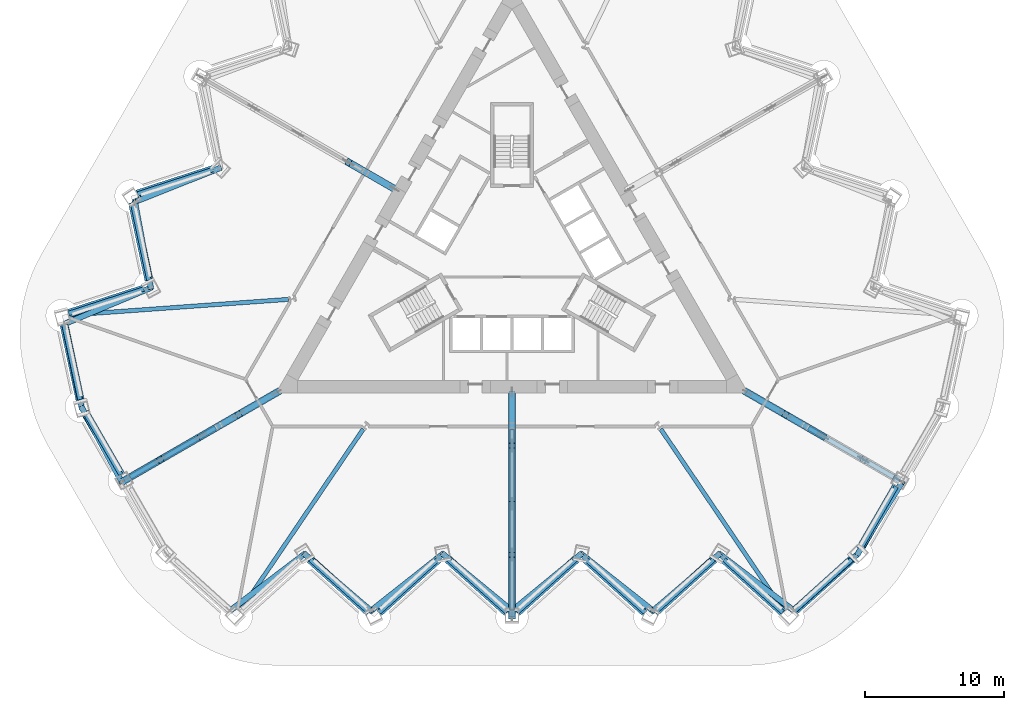
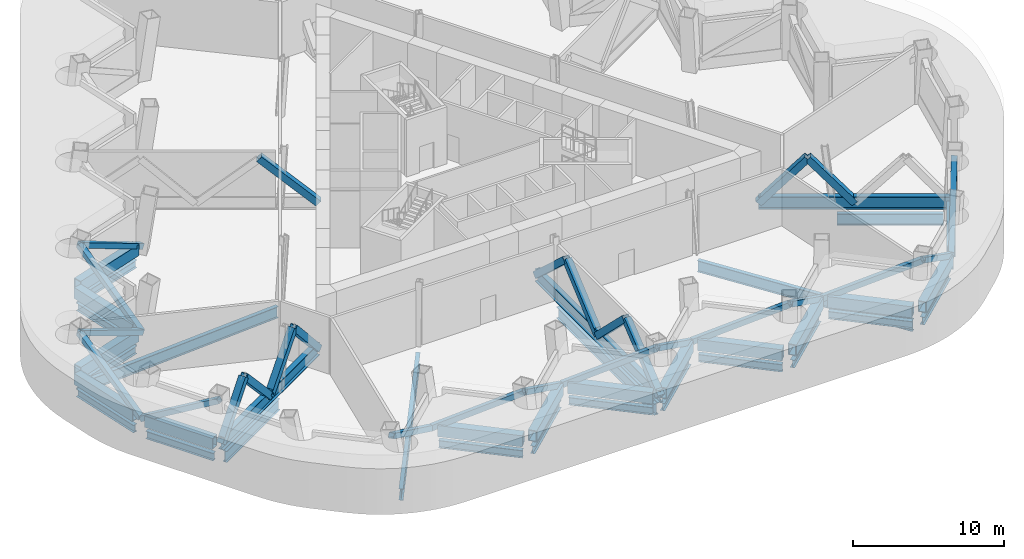
# One storey, part 2 of 14: 43 members, 20 beams.
"""IFC4 building model written with IfcOpenShell, lengths in metres."""

from ifc_helpers import new_model, si_unit, direction, frame, origin, origin_2d, place, context, subcontext, project, spatial, hollow_rectangle, i_section, extrude, material, material_profile, profile_set, type_object, element, save


model = new_model("IFC4")

# Units and contexts
model_context = context("Model", 3, precision=1e-05, world=origin(), true_north=direction((0.0, 1.0)))
body_context = subcontext(model_context, "Body", "Model", "MODEL_VIEW")
ifc_project = project(units=[si_unit("LENGTHUNIT", "METRE"), si_unit("AREAUNIT", "SQUARE_METRE"), si_unit("VOLUMEUNIT", "CUBIC_METRE"), si_unit("PLANEANGLEUNIT", "RADIAN"), si_unit("MASSUNIT", "GRAM", prefix="KILO")], contexts=[model_context])

# Site, building, storey
site_placement = place(None, origin())
site = spatial("IfcSite", under=ifc_project, at=site_placement, CompositionType="ELEMENT")
building_placement = place(site_placement, origin())
building = spatial("IfcBuilding", under=site, at=building_placement, Name="Cormorant Prow Tower", CompositionType="ELEMENT")
storey_placement = place(building_placement, frame((0.0, 0.0, 94.60009765625)))
storey = spatial("IfcBuildingStorey", under=building, at=storey_placement, Name="L19", CompositionType="ELEMENT", Elevation=94.60009765625)

# Members
ifc_material_1 = material(Name="Structural steel ASTM A572 Gr 50", Category="steel")
ifc_material_profile_1 = material_profile(ifc_material_1, hollow_rectangle(XDim=0.60009765625, YDim=0.89990234375, WallThickness=0.06005859375, at=origin_2d()), Name="Box 900x600x60")
ifc_profile_set_1 = profile_set([ifc_material_profile_1], Name="Structural steel ASTM A572 Gr 50")
member_type_1 = type_object("IfcMemberType", Name="Belt truss bottom chord 900x600x60", PredefinedType="CHORD", material=ifc_profile_set_1)
for number, where, z_axis, x_axis, name in (
    (1, (-14.548828125, -21.7744140625, 0.449951171875), (0.743127114978, -0.669150275338, 0.0), (0.669150275338, 0.743127114978, 0.0), "Belt truss bottom chord S02-S03 L19"),
    (2, (-9.582763671875, -25.616943359375, 0.449951171875), (0.743127114978, 0.669150275338, 0.0), (-0.669150275338, 0.743127114978, 0.0), "Belt truss bottom chord S03-S04 L19"),
    (3, (-4.61669921875, -21.7744140625, 0.449951171875), (0.743127114978, -0.669150275338, 0.0), (0.669150275338, 0.743127114978, 0.0), "Belt truss bottom chord S04-S05 L19"),
    (4, (0.349365234375, -25.616943359375, 0.449951171875), (0.743127114978, 0.669150275338, 0.0), (-0.669150275338, 0.743127114978, 0.0), "Belt truss bottom chord S05-S06 L19"),
    (5, (5.3154296875, -21.7744140625, 0.449951171875), (0.743127114978, -0.669150275338, 0.0), (0.669150275338, 0.743127114978, 0.0), "Belt truss bottom chord S06-S07 L19"),
    (6, (10.281494140625, -25.616943359375, 0.449951171875), (0.743127114978, 0.669150275338, 0.0), (-0.669150275338, 0.743127114978, 0.0), "Belt truss bottom chord S07-S08 L19"),
    (7, (15.24755859375, -21.7744140625, 0.449951171875), (0.743127114978, -0.669150275338, 0.0), (0.669150275338, 0.743127114978, 0.0), "Belt truss bottom chord S08-S09 L19"),
    (8, (20.213623046875, -25.616943359375, 0.449951171875), (0.743127114978, 0.669150275338, 0.0), (-0.669150275338, 0.743127114978, 0.0), "Belt truss bottom chord S09-ESE00 L19"),
):
    element("IfcMember", number, at=place(storey_placement, frame(where, z_axis=z_axis, x_axis=x_axis)), inside=storey, type_object=member_type_1, Name=name, PredefinedType="CHORD", context=body_context, shape_type="SweptSolid", body=[
        extrude(hollow_rectangle(XDim=0.60009765625, YDim=0.89990234375, WallThickness=0.06005859375, at=origin_2d()), origin(), (0.0, 0.0, 1.0), 5.742431640625),
    ])
member_1_placement = place(storey_placement, frame((25.0654296875, -21.052978515625, 0.449951171875), z_axis=(0.499985124888, 0.866033991764, 0.0), x_axis=(-0.866033991764, 0.499985124888, 0.0)))
element("IfcMember", 9, at=member_1_placement, inside=storey, type_object=member_type_1, Name="Belt truss bottom chord ESE00-ESE01 L19", PredefinedType="CHORD", context=body_context, shape_type="SweptSolid", body=[
    extrude(hollow_rectangle(XDim=0.60009765625, YDim=0.89990234375, WallThickness=0.06005859375, at=origin_2d()), origin(), (0.0, 0.0, 1.0), 5.229736328125),
])
member_2_placement = place(storey_placement, frame((-21.514892578125, 6.283935546875, 0.449951171875), z_axis=(-0.951062183866, -0.308999550842, 0.0), x_axis=(0.308999550842, -0.951062183866, 0.0)))
element("IfcMember", 10, at=member_2_placement, inside=storey, type_object=member_type_1, Name="Belt truss bottom chord WNW06-WNW07 L19", PredefinedType="CHORD", context=body_context, shape_type="SweptSolid", body=[
    extrude(hollow_rectangle(XDim=0.60009765625, YDim=0.89990234375, WallThickness=0.06005859375, at=origin_2d()), origin(), (0.0, 0.0, 1.0), 5.742431640625),
])
member_3_placement = place(storey_placement, frame((-27.32568359375, 3.904541015625, 0.449951171875), z_axis=(0.207931972737, -0.978143289459, 0.0), x_axis=(0.978143289459, 0.207931972737, 0.0)))
element("IfcMember", 11, at=member_3_placement, inside=storey, type_object=member_type_1, Name="Belt truss bottom chord WNW07-WNW08 L19", PredefinedType="CHORD", context=body_context, shape_type="SweptSolid", body=[
    extrude(hollow_rectangle(XDim=0.60009765625, YDim=0.89990234375, WallThickness=0.06005859375, at=origin_2d()), origin(), (0.0, 0.0, 1.0), 5.74267578125),
])
for number, where, z_axis, x_axis, name in (
    (12, (-26.48095703125, -2.317626953125, 0.449951171875), (-0.951062183866, -0.308999550842, 0.0), (0.308999550842, -0.951062183866, 0.0), "Belt truss bottom chord WNW08-WNW09 L19"),
    (13, (-32.291748046875, -4.697021484375, 0.449951171875), (0.207940619729, -0.978141451257, 0.0), (0.978141451257, 0.207940619729, 0.0), "Belt truss bottom chord WNW09-WSW00 L19"),
):
    element("IfcMember", number, at=place(storey_placement, frame(where, z_axis=z_axis, x_axis=x_axis)), inside=storey, type_object=member_type_1, Name=name, PredefinedType="CHORD", context=body_context, shape_type="SweptSolid", body=[
        extrude(hollow_rectangle(XDim=0.60009765625, YDim=0.89990234375, WallThickness=0.06005859375, at=origin_2d()), origin(), (0.0, 0.0, 1.0), 5.742431640625),
    ])
member_4_placement = place(storey_placement, frame((-30.764892578125, -11.1806640625, 0.449951171875), z_axis=(0.499985124888, -0.866033991764, 0.0), x_axis=(0.866033991764, 0.499985124888, 0.0)))
element("IfcMember", 14, at=member_4_placement, inside=storey, type_object=member_type_1, Name="Belt truss bottom chord WSW00-WSW01 L19", PredefinedType="CHORD", context=body_context, shape_type="SweptSolid", body=[
    extrude(hollow_rectangle(XDim=0.60009765625, YDim=0.89990234375, WallThickness=0.06005859375, at=origin_2d()), origin(), (0.0, 0.0, 1.0), 5.229736328125),
])
ifc_material_2 = material(Name="Structural steel ASTM A500 Gr C", Category="steel")
ifc_material_profile_2 = material_profile(ifc_material_2, hollow_rectangle(XDim=0.406494140625, YDim=0.406494140625, WallThickness=0.014892578125, at=origin_2d()), Name="HSS16x16x5/8")
ifc_profile_set_2 = profile_set([ifc_material_profile_2], Name="Structural steel ASTM A500 Gr C")
member_type_2 = type_object("IfcMemberType", Name="Belt truss diagonal HSS16x16x5/8", PredefinedType="BRACE", material=ifc_profile_set_2)
member_5_placement = place(storey_placement, frame((-14.934326171875, -21.401123046875, 0.449951171875), z_axis=(-0.697989376809, -0.530958939949, 0.480513718794), x_axis=(0.605435215077, -0.795894591227, 0.0)))
element("IfcMember", 15, at=member_5_placement, inside=storey, type_object=member_type_2, Name="Belt truss diagonal S01-S02 L19", PredefinedType="BRACE", context=body_context, shape_type="SweptSolid", body=[
    extrude(hollow_rectangle(XDim=0.406494140625, YDim=0.406494140625, WallThickness=0.014892578125, at=origin_2d()), origin(), (0.0, 0.0, 1.0), 7.699951171875),
])
member_6_placement = place(storey_placement, frame((-4.97802734375, -21.401123046875, 0.449951171875), z_axis=(-0.684424461174, -0.540579757892, 0.489220484346), x_axis=(0.619817084381, -0.784746316914, 0.0)))
element("IfcMember", 16, at=member_6_placement, inside=storey, type_object=member_type_2, Name="Belt truss diagonal S03-S04 L19", PredefinedType="BRACE", context=body_context, shape_type="SweptSolid", body=[
    extrude(hollow_rectangle(XDim=0.406494140625, YDim=0.406494140625, WallThickness=0.014892578125, at=origin_2d()), origin(), (0.0, 0.0, 1.0), 7.56298828125),
])
member_7_placement = place(storey_placement, frame((4.97802734375, -21.401123046875, 0.449951171875), z_axis=(-0.670109572452, -0.550350902417, 0.498063294287), x_axis=(0.634673146566, -0.772780691418, 0.0)))
element("IfcMember", 17, at=member_7_placement, inside=storey, type_object=member_type_2, Name="Belt truss diagonal S05-S06 L19", PredefinedType="BRACE", context=body_context, shape_type="SweptSolid", body=[
    extrude(hollow_rectangle(XDim=0.406494140625, YDim=0.406494140625, WallThickness=0.014892578125, at=origin_2d()), origin(), (0.0, 0.0, 1.0), 7.4287109375),
])
member_8_placement = place(storey_placement, frame((14.934326171875, -21.401123046875, 0.449951171875), z_axis=(-0.655024981047, -0.56024558622, 0.507017906316), x_axis=(0.649985494799, -0.759946614277, 0.0)))
element("IfcMember", 18, at=member_8_placement, inside=storey, type_object=member_type_2, Name="Belt truss diagonal S07-S08 L19", PredefinedType="BRACE", context=body_context, shape_type="SweptSolid", body=[
    extrude(hollow_rectangle(XDim=0.406494140625, YDim=0.406494140625, WallThickness=0.014892578125, at=origin_2d()), origin(), (0.0, 0.0, 1.0), 7.29736328125),
])
member_9_placement = place(storey_placement, frame((24.890625, -21.401123046875, 0.449951171875), z_axis=(-0.639094306091, -0.570270861075, 0.516090702233), x_axis=(0.665788984799, -0.746140085855, 0.0)))
element("IfcMember", 19, at=member_9_placement, inside=storey, type_object=member_type_2, Name="Belt truss diagonal S09-ESE00 L19", PredefinedType="BRACE", context=body_context, shape_type="SweptSolid", body=[
    extrude(hollow_rectangle(XDim=0.406494140625, YDim=0.406494140625, WallThickness=0.014892578125, at=origin_2d()), origin(), (0.0, 0.0, 1.0), 7.169189453125),
])
member_10_placement = place(storey_placement, frame((-26.001220703125, -2.23291015625, 0.449951171875), z_axis=(-0.157675282259, 0.847391730178, 0.507016529308), x_axis=(-0.983125666622, -0.182931472494, 0.0)))
element("IfcMember", 20, at=member_10_placement, inside=storey, type_object=member_type_2, Name="Belt truss diagonal WNW07-WNW08 L19", PredefinedType="BRACE", context=body_context, shape_type="SweptSolid", body=[
    extrude(hollow_rectangle(XDim=0.406494140625, YDim=0.406494140625, WallThickness=0.014892578125, at=origin_2d()), origin(), (0.0, 0.0, 1.0), 7.297607421875),
])
member_11_placement = place(storey_placement, frame((-30.979248046875, -10.855224609375, 0.449951171875), z_axis=(-0.174321674142, 0.838610187034, 0.516086144096), x_axis=(-0.979070951918, -0.20351921558, 0.0)))
element("IfcMember", 21, at=member_11_placement, inside=storey, type_object=member_type_2, Name="Belt truss diagonal WNW09-WSW00 L19", PredefinedType="BRACE", context=body_context, shape_type="SweptSolid", body=[
    extrude(hollow_rectangle(XDim=0.406494140625, YDim=0.406494140625, WallThickness=0.014892578125, at=origin_2d()), origin(), (0.0, 0.0, 1.0), 7.169189453125),
])
ifc_material_3 = material(Name="Structural steel ASTM A500 Gr C", Category="steel")
ifc_material_profile_3 = material_profile(ifc_material_3, hollow_rectangle(XDim=0.406494140625, YDim=0.406494140625, WallThickness=0.014892578125, at=origin_2d()), Name="HSS16x16x5/8")
ifc_profile_set_3 = profile_set([ifc_material_profile_3], Name="Structural steel ASTM A500 Gr C")
member_type_3 = type_object("IfcMemberType", Name="Belt truss strut HSS16x16x5/8", PredefinedType="STRUT", material=ifc_profile_set_3)
member_12_placement = place(storey_placement, frame((-14.934326171875, -21.401123046875, 0.449951171875), z_axis=(0.655024981047, -0.56024558622, 0.507017906316), x_axis=(0.649985494799, 0.759946614277, 0.0)))
element("IfcMember", 22, at=member_12_placement, inside=storey, type_object=member_type_3, Name="Belt truss strut S02-S03 L19", PredefinedType="STRUT", context=body_context, shape_type="SweptSolid", body=[
    extrude(hollow_rectangle(XDim=0.406494140625, YDim=0.406494140625, WallThickness=0.014892578125, at=origin_2d()), origin(), (0.0, 0.0, 1.0), 7.29736328125),
])
member_13_placement = place(storey_placement, frame((-4.97802734375, -21.401123046875, 0.449951171875), z_axis=(0.670109572452, -0.550350902417, 0.498063294287), x_axis=(0.634673146566, 0.772780691418, 0.0)))
element("IfcMember", 23, at=member_13_placement, inside=storey, type_object=member_type_3, Name="Belt truss strut S04-S05 L19", PredefinedType="STRUT", context=body_context, shape_type="SweptSolid", body=[
    extrude(hollow_rectangle(XDim=0.406494140625, YDim=0.406494140625, WallThickness=0.014892578125, at=origin_2d()), origin(), (0.0, 0.0, 1.0), 7.4287109375),
])
member_14_placement = place(storey_placement, frame((4.97802734375, -21.401123046875, 0.449951171875), z_axis=(0.684424461174, -0.540579757892, 0.489220484346), x_axis=(0.619817084381, 0.784746316914, 0.0)))
element("IfcMember", 24, at=member_14_placement, inside=storey, type_object=member_type_3, Name="Belt truss strut S06-S07 L19", PredefinedType="STRUT", context=body_context, shape_type="SweptSolid", body=[
    extrude(hollow_rectangle(XDim=0.406494140625, YDim=0.406494140625, WallThickness=0.014892578125, at=origin_2d()), origin(), (0.0, 0.0, 1.0), 7.56298828125),
])
member_15_placement = place(storey_placement, frame((14.934326171875, -21.401123046875, 0.449951171875), z_axis=(0.697989376809, -0.530958939949, 0.480513718794), x_axis=(0.605435215077, 0.795894591227, 0.0)))
element("IfcMember", 25, at=member_15_placement, inside=storey, type_object=member_type_3, Name="Belt truss strut S08-S09 L19", PredefinedType="STRUT", context=body_context, shape_type="SweptSolid", body=[
    extrude(hollow_rectangle(XDim=0.406494140625, YDim=0.406494140625, WallThickness=0.014892578125, at=origin_2d()), origin(), (0.0, 0.0, 1.0), 7.699951171875),
])
member_16_placement = place(storey_placement, frame((24.890625, -21.401123046875, 0.449951171875), z_axis=(0.449908041618, 0.726690208229, 0.519137838489), x_axis=(-0.850237812916, 0.526398766609, 0.0)))
element("IfcMember", 26, at=member_16_placement, inside=storey, type_object=member_type_3, Name="Belt truss strut ESE00-ESE01 L19", PredefinedType="STRUT", context=body_context, shape_type="SweptSolid", body=[
    extrude(hollow_rectangle(XDim=0.406494140625, YDim=0.406494140625, WallThickness=0.014892578125, at=origin_2d()), origin(), (0.0, 0.0, 1.0), 7.127197265625),
])
member_17_placement = place(storey_placement, frame((-21.02294921875, 6.389404296875, 0.449951171875), z_axis=(-0.810377971724, -0.322420936169, 0.489215987949), x_axis=(0.369679818329, -0.929159206982, 0.0)))
element("IfcMember", 27, at=member_17_placement, inside=storey, type_object=member_type_3, Name="Belt truss strut WNW06-WNW07 L19", PredefinedType="STRUT", context=body_context, shape_type="SweptSolid", body=[
    extrude(hollow_rectangle(XDim=0.406494140625, YDim=0.406494140625, WallThickness=0.014892578125, at=origin_2d()), origin(), (0.0, 0.0, 1.0), 7.56298828125),
])
member_18_placement = place(storey_placement, frame((-26.001220703125, -2.23291015625, 0.449951171875), z_axis=(-0.808819499256, -0.338981899194, 0.480522933523), x_axis=(0.386532262966, -0.922275885886, 0.0)))
element("IfcMember", 28, at=member_18_placement, inside=storey, type_object=member_type_3, Name="Belt truss strut WNW08-WNW09 L19", PredefinedType="STRUT", context=body_context, shape_type="SweptSolid", body=[
    extrude(hollow_rectangle(XDim=0.406494140625, YDim=0.406494140625, WallThickness=0.014892578125, at=origin_2d()), origin(), (0.0, 0.0, 1.0), 7.699951171875),
])
member_19_placement = place(storey_placement, frame((-30.979248046875, -10.855224609375, 0.449951171875), z_axis=(0.404375596935, -0.752984699012, 0.519128519403), x_axis=(0.880996904166, 0.473122029555, 0.0)))
element("IfcMember", 29, at=member_19_placement, inside=storey, type_object=member_type_3, Name="Belt truss strut WSW00-WSW01 L19", PredefinedType="STRUT", context=body_context, shape_type="SweptSolid", body=[
    extrude(hollow_rectangle(XDim=0.406494140625, YDim=0.406494140625, WallThickness=0.014892578125, at=origin_2d()), origin(), (0.0, 0.0, 1.0), 7.127197265625),
])
ifc_material_4 = material(Name="Structural steel ASTM A992 Gr 50", Category="steel")
ifc_material_profile_4 = material_profile(ifc_material_4, i_section(OverallWidth=0.39990234375, OverallDepth=1.000244140625, WebThickness=0.01904296875, FlangeThickness=0.0361328125, at=origin_2d()), Name="W40x249")
ifc_profile_set_4 = profile_set([ifc_material_profile_4], Name="Structural steel ASTM A992 Gr 50")
member_type_4 = type_object("IfcMemberType", Name="Outrigger chord W40x249", PredefinedType="CHORD", material=ifc_profile_set_4)
member_20_placement = place(storey_placement, frame((-16.8701171875, -9.739990234375, 0.5), z_axis=(-0.866024604137, -0.500001385028, 0.0), x_axis=(0.500001385028, -0.866024604137, 0.0)))
element("IfcMember", 30, at=member_20_placement, inside=storey, type_object=member_type_4, Name="Outrigger bottom chord 3 L19", PredefinedType="CHORD", context=body_context, shape_type="SweptSolid", body=[
    extrude(i_section(OverallWidth=0.39990234375, OverallDepth=1.000244140625, WebThickness=0.01904296875, FlangeThickness=0.0361328125, at=origin_2d()), origin(), (0.0, 0.0, 1.0), 12.75390625),
])
member_21_placement = place(storey_placement, frame((0.0, -9.6650390625, 0.5), z_axis=(0.0, -1.0, 0.0), x_axis=(1.0, 0.0, 0.0)))
element("IfcMember", 31, at=member_21_placement, inside=storey, type_object=member_type_4, Name="Outrigger bottom chord 4 L19", PredefinedType="CHORD", context=body_context, shape_type="SweptSolid", body=[
    extrude(i_section(OverallWidth=0.39990234375, OverallDepth=1.000244140625, WebThickness=0.01904296875, FlangeThickness=0.0361328125, at=origin_2d()), origin(), (0.0, 0.0, 1.0), 16.266357421875),
])
member_22_placement = place(storey_placement, frame((16.8701171875, -9.739990234375, 0.5), z_axis=(0.866024604137, -0.500001385028, 0.0), x_axis=(0.500001385028, 0.866024604137, 0.0)))
element("IfcMember", 32, at=member_22_placement, inside=storey, type_object=member_type_4, Name="Outrigger bottom chord 5 L19", PredefinedType="CHORD", context=body_context, shape_type="SweptSolid", body=[
    extrude(i_section(OverallWidth=0.39990234375, OverallDepth=1.000244140625, WebThickness=0.01904296875, FlangeThickness=0.0361328125, at=origin_2d()), origin(), (0.0, 0.0, 1.0), 12.75390625),
])
ifc_material_5 = material(Name="Structural steel ASTM A500 Gr C", Category="steel")
ifc_material_profile_5 = material_profile(ifc_material_5, hollow_rectangle(XDim=0.508056640625, YDim=0.508056640625, WallThickness=0.014892578125, at=origin_2d()), Name="HSS20x20x5/8")
ifc_profile_set_5 = profile_set([ifc_material_profile_5], Name="Structural steel ASTM A500 Gr C")
member_type_5 = type_object("IfcMemberType", Name="Outrigger diagonal HSS20x20x5/8", PredefinedType="BRACE", material=ifc_profile_set_5)
member_23_placement = place(storey_placement, frame((-8.3701171875, 4.83251953125, 0.5), z_axis=(-0.638863735148, 0.368858757998, 0.675126909966), x_axis=(-0.500010785354, -0.866019176768, 0.0)))
element("IfcMember", 33, at=member_23_placement, inside=storey, type_object=member_type_5, Name="Outrigger diagonal 2.1 L19", PredefinedType="BRACE", context=body_context, shape_type="SweptSolid", body=[
    extrude(hollow_rectangle(XDim=0.508056640625, YDim=0.508056640625, WallThickness=0.014892578125, at=origin_2d()), origin(), (0.0, 0.0, 1.0), 5.33203125),
])
member_24_placement = place(storey_placement, frame((-16.8701171875, -9.739990234375, 0.5), z_axis=(-0.580525878953, -0.335129764018, 0.742076643707), x_axis=(0.49995859151, -0.866049309667, 0.0)))
element("IfcMember", 34, at=member_24_placement, inside=storey, type_object=member_type_5, Name="Outrigger diagonal 3.1 L19", PredefinedType="BRACE", context=body_context, shape_type="SweptSolid", body=[
    extrude(hollow_rectangle(XDim=0.508056640625, YDim=0.508056640625, WallThickness=0.014892578125, at=origin_2d()), origin(), (0.0, 0.0, 1.0), 4.85107421875),
])
member_25_placement = place(storey_placement, frame((-22.392578125, -12.928466796875, 0.5), z_axis=(-0.592640333127, -0.34216275575, 0.72917904806), x_axis=(0.50000186303, -0.866024328161, 0.0)))
element("IfcMember", 35, at=member_25_placement, inside=storey, type_object=member_type_5, Name="Outrigger diagonal 3.3 L19", PredefinedType="BRACE", context=body_context, shape_type="SweptSolid", body=[
    extrude(hollow_rectangle(XDim=0.508056640625, YDim=0.508056640625, WallThickness=0.014892578125, at=origin_2d()), origin(), (0.0, 0.0, 1.0), 4.936767578125),
])
member_26_placement = place(storey_placement, frame((0.0, -9.6650390625, 0.5), z_axis=(0.0, -0.7376879863, 0.675141788715), x_axis=(1.0, 0.0, 0.0)))
element("IfcMember", 36, at=member_26_placement, inside=storey, type_object=member_type_5, Name="Outrigger diagonal 4.1 L19", PredefinedType="BRACE", context=body_context, shape_type="SweptSolid", body=[
    extrude(hollow_rectangle(XDim=0.508056640625, YDim=0.508056640625, WallThickness=0.014892578125, at=origin_2d()), origin(), (0.0, 0.0, 1.0), 5.33203125),
])
member_27_placement = place(storey_placement, frame((0.0, -17.798095703125, 0.5), z_axis=(0.0, -0.713655940308, 0.700496394611), x_axis=(1.0, 0.0, 0.0)))
element("IfcMember", 37, at=member_27_placement, inside=storey, type_object=member_type_5, Name="Outrigger diagonal 4.3 L19", PredefinedType="BRACE", context=body_context, shape_type="SweptSolid", body=[
    extrude(hollow_rectangle(XDim=0.508056640625, YDim=0.508056640625, WallThickness=0.014892578125, at=origin_2d()), origin(), (0.0, 0.0, 1.0), 5.138916015625),
])
member_28_placement = place(storey_placement, frame((16.8701171875, -9.739990234375, 0.5), z_axis=(0.580525878953, -0.335129764018, 0.742076643707), x_axis=(0.49995859151, 0.866049309667, 0.0)))
element("IfcMember", 38, at=member_28_placement, inside=storey, type_object=member_type_5, Name="Outrigger diagonal 5.1 L19", PredefinedType="BRACE", context=body_context, shape_type="SweptSolid", body=[
    extrude(hollow_rectangle(XDim=0.508056640625, YDim=0.508056640625, WallThickness=0.014892578125, at=origin_2d()), origin(), (0.0, 0.0, 1.0), 4.85107421875),
])
ifc_material_6 = material(Name="Structural steel ASTM A500 Gr C", Category="steel")
ifc_material_profile_6 = material_profile(ifc_material_6, hollow_rectangle(XDim=0.508056640625, YDim=0.508056640625, WallThickness=0.014892578125, at=origin_2d()), Name="HSS20x20x5/8")
ifc_profile_set_6 = profile_set([ifc_material_profile_6], Name="Structural steel ASTM A500 Gr C")
member_type_6 = type_object("IfcMemberType", Name="Outrigger strut HSS20x20x5/8", PredefinedType="STRUT", material=ifc_profile_set_6)
member_29_placement = place(storey_placement, frame((-19.686279296875, -11.36572265625, 4.099853515625), z_axis=(-0.567704319808, -0.327819156616, -0.75514661214), x_axis=(0.50006282485, -0.865989128802, 0.0)))
element("IfcMember", 39, at=member_29_placement, inside=storey, type_object=member_type_6, Name="Outrigger strut 3.2 L19", PredefinedType="STRUT", context=body_context, shape_type="SweptSolid", body=[
    extrude(hollow_rectangle(XDim=0.508056640625, YDim=0.508056640625, WallThickness=0.014892578125, at=origin_2d()), origin(), (0.0, 0.0, 1.0), 4.76708984375),
])
member_30_placement = place(storey_placement, frame((-25.318359375, -14.61767578125, 4.099853515625), z_axis=(-0.554286640197, -0.320003220593, -0.768351650814), x_axis=(0.499983218998, -0.866035092084, 0.0)))
element("IfcMember", 40, at=member_30_placement, inside=storey, type_object=member_type_6, Name="Outrigger strut 3.4 L19", PredefinedType="STRUT", context=body_context, shape_type="SweptSolid", body=[
    extrude(hollow_rectangle(XDim=0.508056640625, YDim=0.508056640625, WallThickness=0.014892578125, at=origin_2d()), origin(), (0.0, 0.0, 1.0), 4.68505859375),
])
member_31_placement = place(storey_placement, frame((0.0, -13.598388671875, 4.099853515625), z_axis=(0.0, -0.759247255596, -0.650802277861), x_axis=(1.0, 0.0, 0.0)))
element("IfcMember", 41, at=member_31_placement, inside=storey, type_object=member_type_6, Name="Outrigger strut 4.2 L19", PredefinedType="STRUT", context=body_context, shape_type="SweptSolid", body=[
    extrude(hollow_rectangle(XDim=0.508056640625, YDim=0.508056640625, WallThickness=0.014892578125, at=origin_2d()), origin(), (0.0, 0.0, 1.0), 5.531494140625),
])
member_32_placement = place(storey_placement, frame((0.0, -21.465576171875, 4.099853515625), z_axis=(0.0, -0.778550556769, -0.627581891513), x_axis=(1.0, 0.0, 0.0)))
element("IfcMember", 42, at=member_32_placement, inside=storey, type_object=member_type_6, Name="Outrigger strut 4.4 L19", PredefinedType="STRUT", context=body_context, shape_type="SweptSolid", body=[
    extrude(hollow_rectangle(XDim=0.508056640625, YDim=0.508056640625, WallThickness=0.014892578125, at=origin_2d()), origin(), (0.0, 0.0, 1.0), 5.736083984375),
])
member_33_placement = place(storey_placement, frame((19.686279296875, -11.36572265625, 4.099853515625), z_axis=(0.567704319808, -0.327819156616, -0.75514661214), x_axis=(0.50006282485, 0.865989128802, 0.0)))
element("IfcMember", 43, at=member_33_placement, inside=storey, type_object=member_type_6, Name="Outrigger strut 5.2 L19", PredefinedType="STRUT", context=body_context, shape_type="SweptSolid", body=[
    extrude(hollow_rectangle(XDim=0.508056640625, YDim=0.508056640625, WallThickness=0.014892578125, at=origin_2d()), origin(), (0.0, 0.0, 1.0), 4.76708984375),
])

# Beams
ifc_material_7 = material(Name="Structural steel ASTM A992 Gr 50", Category="steel")
ifc_material_profile_7 = material_profile(ifc_material_7, i_section(OverallWidth=0.3046875, OverallDepth=0.914794921875, WebThickness=0.0166015625, FlangeThickness=0.02587890625, at=origin_2d()), Name="W36x160")
ifc_profile_set_7 = profile_set([ifc_material_profile_7], Name="Structural steel ASTM A992 Gr 50")
beam_type_1 = type_object("IfcBeamType", Name="Radial floor beam W36x160", PredefinedType="BEAM", material=ifc_profile_set_7)
beam_1_placement = place(storey_placement, frame((-16.099365234375, -3.0703125, -0.857421875), z_axis=(-0.997443412532, -0.071460750045, 0.0), x_axis=(0.071460750045, -0.997443412532, 0.0)))
element("IfcBeam", 44, at=beam_1_placement, inside=storey, type_object=beam_type_1, Name="Radial floor beam FB1 4 L19", PredefinedType="BEAM", context=body_context, shape_type="SweptSolid", body=[
    extrude(i_section(OverallWidth=0.3046875, OverallDepth=0.914794921875, WebThickness=0.0166015625, FlangeThickness=0.02587890625, at=origin_2d()), origin(), (0.0, 0.0, 1.0), 15.831787109375),
])
beam_2_placement = place(storey_placement, frame((-21.358154296875, -12.3310546875, -0.857421875), z_axis=(-0.866014253463, -0.500019312426, 0.0), x_axis=(0.500019312426, -0.866014253463, 0.0)))
element("IfcBeam", 45, at=beam_2_placement, inside=storey, type_object=beam_type_1, Name="Radial floor beam FB1 5 L19", PredefinedType="BEAM", context=body_context, shape_type="SweptSolid", body=[
    extrude(i_section(OverallWidth=0.3046875, OverallDepth=0.914794921875, WebThickness=0.0166015625, FlangeThickness=0.02587890625, at=origin_2d()), origin(), (0.0, 0.0, 1.0), 7.071533203125),
])
beam_3_placement = place(storey_placement, frame((-10.708740234375, -12.4072265625, -0.857421875), z_axis=(-0.560597160775, -0.828088656685, 0.0), x_axis=(0.828088656685, -0.560597160775, 0.0)))
element("IfcBeam", 46, at=beam_3_placement, inside=storey, type_object=beam_type_1, Name="Radial floor beam FB1 6 L19", PredefinedType="BEAM", context=body_context, shape_type="SweptSolid", body=[
    extrude(i_section(OverallWidth=0.3046875, OverallDepth=0.914794921875, WebThickness=0.0166015625, FlangeThickness=0.02587890625, at=origin_2d()), origin(), (0.0, 0.0, 1.0), 15.831787109375),
])
beam_4_placement = place(storey_placement, frame((0.0, -12.447265625, -0.857421875), z_axis=(0.0, -1.0, 0.0), x_axis=(1.0, 0.0, 0.0)))
element("IfcBeam", 47, at=beam_4_placement, inside=storey, type_object=beam_type_1, Name="Radial floor beam FB1 7 L19", PredefinedType="BEAM", context=body_context, shape_type="SweptSolid", body=[
    extrude(i_section(OverallWidth=0.3046875, OverallDepth=0.914794921875, WebThickness=0.0166015625, FlangeThickness=0.02587890625, at=origin_2d()), origin(), (0.0, 0.0, 1.0), 12.984130859375),
])
beam_5_placement = place(storey_placement, frame((10.708740234375, -12.4072265625, -0.857421875), z_axis=(0.560597160775, -0.828088656685, 0.0), x_axis=(0.828088656685, 0.560597160775, 0.0)))
element("IfcBeam", 48, at=beam_5_placement, inside=storey, type_object=beam_type_1, Name="Radial floor beam FB1 8 L19", PredefinedType="BEAM", context=body_context, shape_type="SweptSolid", body=[
    extrude(i_section(OverallWidth=0.3046875, OverallDepth=0.914794921875, WebThickness=0.0166015625, FlangeThickness=0.02587890625, at=origin_2d()), origin(), (0.0, 0.0, 1.0), 15.831787109375),
])
beam_6_placement = place(storey_placement, frame((21.358154296875, -12.3310546875, -0.857421875), z_axis=(0.866014253463, -0.500019312426, 0.0), x_axis=(0.500019312426, 0.866014253463, 0.0)))
element("IfcBeam", 49, at=beam_6_placement, inside=storey, type_object=beam_type_1, Name="Radial floor beam FB1 9 L19", PredefinedType="BEAM", context=body_context, shape_type="SweptSolid", body=[
    extrude(i_section(OverallWidth=0.3046875, OverallDepth=0.914794921875, WebThickness=0.0166015625, FlangeThickness=0.02587890625, at=origin_2d()), origin(), (0.0, 0.0, 1.0), 7.071533203125),
])
ifc_material_8 = material(Name="Structural steel ASTM A992 Gr 50", Category="steel")
ifc_material_profile_8 = material_profile(ifc_material_8, i_section(OverallWidth=0.32373046875, OverallDepth=0.611083984375, WebThickness=0.0126953125, FlangeThickness=0.01904296875, at=origin_2d()), Name="W24x104")
ifc_profile_set_8 = profile_set([ifc_material_profile_8], Name="Structural steel ASTM A992 Gr 50")
beam_type_2 = type_object("IfcBeamType", Name="Spandrel beam W24x104", PredefinedType="SPANDREL", material=ifc_profile_set_8)
for number, where, z_axis, x_axis, name in (
    (50, (-14.526611328125, -21.79443359375, -0.70556640625), (0.743129630386, -0.669147481833, 0.0), (0.669147481833, 0.743129630386, 0.0), "Spandrel beam SB1 S02-S03 L19"),
    (51, (-9.560546875, -25.596923828125, -0.70556640625), (0.743129630386, 0.669147481833, 0.0), (-0.669147481833, 0.743129630386, 0.0), "Spandrel beam SB1 S03-S04 L19"),
    (52, (-4.594482421875, -21.79443359375, -0.70556640625), (0.743129630386, -0.669147481833, 0.0), (0.669147481833, 0.743129630386, 0.0), "Spandrel beam SB1 S04-S05 L19"),
    (53, (0.37158203125, -25.596923828125, -0.70556640625), (0.743129630386, 0.669147481833, 0.0), (-0.669147481833, 0.743129630386, 0.0), "Spandrel beam SB1 S05-S06 L19"),
    (54, (5.337646484375, -21.79443359375, -0.70556640625), (0.743129630386, -0.669147481833, 0.0), (0.669147481833, 0.743129630386, 0.0), "Spandrel beam SB1 S06-S07 L19"),
    (55, (10.3037109375, -25.596923828125, -0.70556640625), (0.743129630386, 0.669147481833, 0.0), (-0.669147481833, 0.743129630386, 0.0), "Spandrel beam SB1 S07-S08 L19"),
    (56, (15.269775390625, -21.79443359375, -0.70556640625), (0.743129630386, -0.669147481833, 0.0), (0.669147481833, 0.743129630386, 0.0), "Spandrel beam SB1 S08-S09 L19"),
    (57, (20.23583984375, -25.596923828125, -0.70556640625), (0.743129630386, 0.669147481833, 0.0), (-0.669147481833, 0.743129630386, 0.0), "Spandrel beam SB1 S09-ESE00 L19"),
):
    element("IfcBeam", number, at=place(storey_placement, frame(where, z_axis=z_axis, x_axis=x_axis)), inside=storey, type_object=beam_type_2, Name=name, PredefinedType="SPANDREL", context=body_context, shape_type="SweptSolid", body=[
        extrude(i_section(OverallWidth=0.32373046875, OverallDepth=0.611083984375, WebThickness=0.0126953125, FlangeThickness=0.01904296875, at=origin_2d()), origin(), (0.0, 0.0, 1.0), 5.6826171875),
    ])
beam_7_placement = place(storey_placement, frame((25.080322265625, -21.02685546875, -0.70556640625), z_axis=(0.500019507279, 0.866014140959, 0.0), x_axis=(-0.866014140959, 0.500019507279, 0.0)))
element("IfcBeam", 58, at=beam_7_placement, inside=storey, type_object=beam_type_2, Name="Spandrel beam SB1 ESE00-ESE01 L19", PredefinedType="SPANDREL", context=body_context, shape_type="SweptSolid", body=[
    extrude(i_section(OverallWidth=0.32373046875, OverallDepth=0.611083984375, WebThickness=0.0126953125, FlangeThickness=0.01904296875, at=origin_2d()), origin(), (0.0, 0.0, 1.0), 5.169677734375),
])
beam_8_placement = place(storey_placement, frame((-21.54345703125, 6.274658203125, -0.70556640625), z_axis=(-0.951061849722, -0.309000579292, 0.0), x_axis=(0.309000579292, -0.951061849722, 0.0)))
element("IfcBeam", 59, at=beam_8_placement, inside=storey, type_object=beam_type_2, Name="Spandrel beam SB1 WNW06-WNW07 L19", PredefinedType="SPANDREL", context=body_context, shape_type="SweptSolid", body=[
    extrude(i_section(OverallWidth=0.32373046875, OverallDepth=0.611083984375, WebThickness=0.0126953125, FlangeThickness=0.01904296875, at=origin_2d()), origin(), (0.0, 0.0, 1.0), 5.682373046875),
])
beam_9_placement = place(storey_placement, frame((-27.3193359375, 3.875244140625, -0.70556640625), z_axis=(0.207900376723, -0.97815000555, 0.0), x_axis=(0.97815000555, 0.207900376723, 0.0)))
element("IfcBeam", 60, at=beam_9_placement, inside=storey, type_object=beam_type_2, Name="Spandrel beam SB1 WNW07-WNW08 L19", PredefinedType="SPANDREL", context=body_context, shape_type="SweptSolid", body=[
    extrude(i_section(OverallWidth=0.32373046875, OverallDepth=0.611083984375, WebThickness=0.0126953125, FlangeThickness=0.01904296875, at=origin_2d()), origin(), (0.0, 0.0, 1.0), 5.6826171875),
])
beam_10_placement = place(storey_placement, frame((-26.509521484375, -2.32666015625, -0.70556640625), z_axis=(-0.951049222751, -0.309039440696, 0.0), x_axis=(0.309039440696, -0.951049222751, 0.0)))
element("IfcBeam", 61, at=beam_10_placement, inside=storey, type_object=beam_type_2, Name="Spandrel beam SB1 WNW08-WNW09 L19", PredefinedType="SPANDREL", context=body_context, shape_type="SweptSolid", body=[
    extrude(i_section(OverallWidth=0.32373046875, OverallDepth=0.611083984375, WebThickness=0.0126953125, FlangeThickness=0.01904296875, at=origin_2d()), origin(), (0.0, 0.0, 1.0), 5.682373046875),
])
beam_11_placement = place(storey_placement, frame((-32.285400390625, -4.726318359375, -0.70556640625), z_axis=(0.207900376723, -0.97815000555, 0.0), x_axis=(0.97815000555, 0.207900376723, 0.0)))
element("IfcBeam", 62, at=beam_11_placement, inside=storey, type_object=beam_type_2, Name="Spandrel beam SB1 WNW09-WSW00 L19", PredefinedType="SPANDREL", context=body_context, shape_type="SweptSolid", body=[
    extrude(i_section(OverallWidth=0.32373046875, OverallDepth=0.611083984375, WebThickness=0.0126953125, FlangeThickness=0.01904296875, at=origin_2d()), origin(), (0.0, 0.0, 1.0), 5.6826171875),
])
beam_12_placement = place(storey_placement, frame((-30.75, -11.206787109375, -0.70556640625), z_axis=(0.49998408811, -0.866034590324, 0.0), x_axis=(0.866034590324, 0.49998408811, 0.0)))
element("IfcBeam", 63, at=beam_12_placement, inside=storey, type_object=beam_type_2, Name="Spandrel beam SB1 WSW00-WSW01 L19", PredefinedType="SPANDREL", context=body_context, shape_type="SweptSolid", body=[
    extrude(i_section(OverallWidth=0.32373046875, OverallDepth=0.611083984375, WebThickness=0.0126953125, FlangeThickness=0.01904296875, at=origin_2d()), origin(), (0.0, 0.0, 1.0), 5.169677734375),
])

save(model, "model.ifc")
